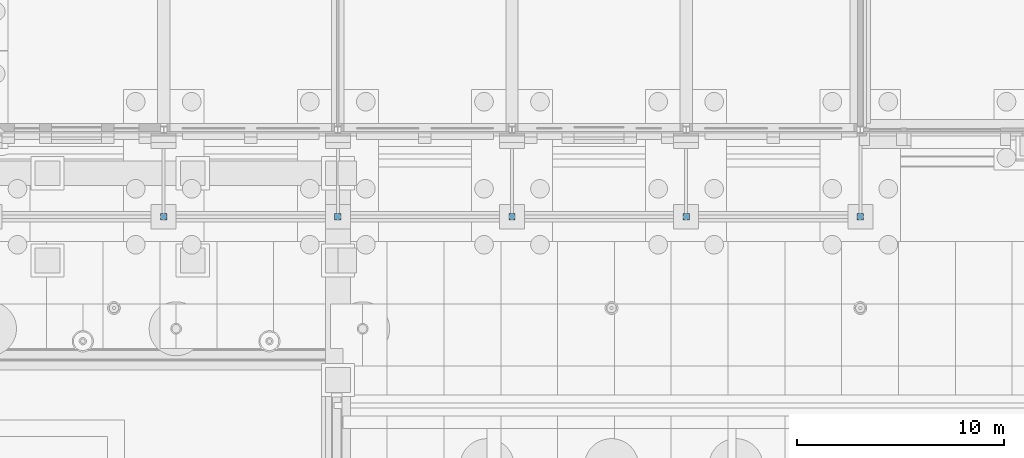
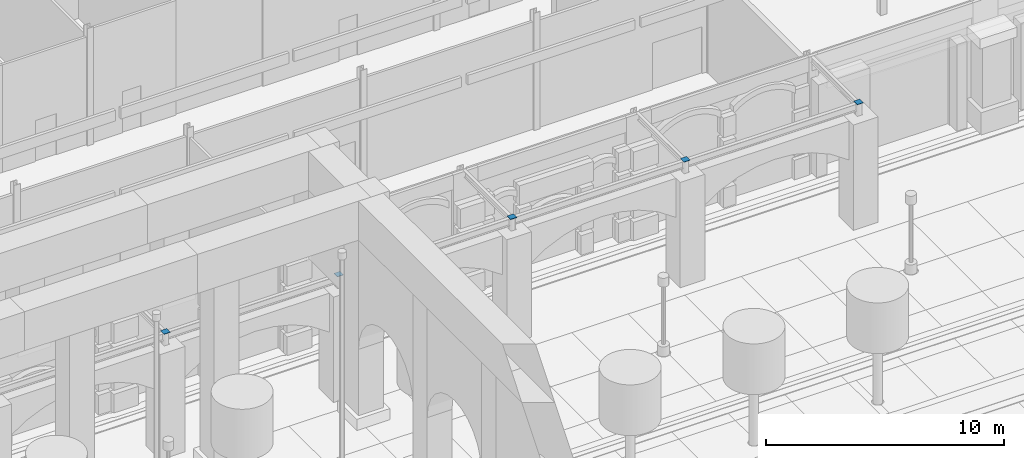
# One storey, part 107 of 222: 5 discrete accessories.
"""IFC4 building model written with IfcOpenShell, lengths in metres."""

from ifc_helpers import new_model, si_unit, direction, frame, origin, origin_2d, place, context, subcontext, project, spatial, rectangle, extrude, material, layer, layer_set, type_object, element, save


model = new_model("IFC4")

# Units and contexts
model_context = context("Model", 3, precision=1e-05, world=origin(), true_north=direction((0.0, 1.0)))
body_context = subcontext(model_context, "Body", "Model", "MODEL_VIEW")
ifc_project = project(units=[si_unit("LENGTHUNIT", "METRE"), si_unit("AREAUNIT", "SQUARE_METRE"), si_unit("VOLUMEUNIT", "CUBIC_METRE"), si_unit("PLANEANGLEUNIT", "RADIAN"), si_unit("MASSUNIT", "GRAM", prefix="KILO")], contexts=[model_context])

# Site, building, storey
site_placement = place(None, origin())
site = spatial("IfcSite", under=ifc_project, at=site_placement, CompositionType="ELEMENT")
building_placement = place(site_placement, origin())
building = spatial("IfcBuilding", under=site, at=building_placement, Name="Sava Quay Ferry Terminal", CompositionType="ELEMENT")
storey_placement = place(building_placement, origin())
storey = spatial("IfcBuildingStorey", under=building, at=storey_placement, Name="L00", CompositionType="ELEMENT", Elevation=0.0)

# Discrete accessories
ifc_material = material(Name="Steel S355", Category="steel")
ifc_layer = layer(ifc_material, 0.02001953125)
ifc_layer_set = layer_set([ifc_layer], Name="Steel S355")
discrete_accessory_type = type_object("IfcDiscreteAccessoryType", Name="Column head plate 20", PredefinedType="ANCHORPLATE", material=ifc_layer_set)
for number, where, z_axis, x_axis, name in (
    (1, (92.39990234375, 21.0, 6.0), (0.0, 0.0, 1.0), (1.0, 0.0, 0.0), "Arcade column head plate 92.4/21"),
    (2, (100.800048828125, 21.0, 6.0), (0.0, 0.0, 1.0), (1.0, 0.0, 0.0), "Arcade column head plate 100.8/21"),
    (3, (109.199951171875, 21.0, 6.0), (0.0, 0.0, 1.0), (1.0, 0.0, 0.0), "Arcade column head plate 109.2/21"),
    (4, (117.60009765625, 21.0, 6.0), (0.0, 0.0, 1.0), (1.0, 0.0, 0.0), "Arcade column head plate 117.6/21"),
    (5, (126.0, 21.0, 6.0), (0.0, 0.0, 1.0), (1.0, 0.0, 0.0), "Arcade column head plate 126/21"),
):
    element("IfcDiscreteAccessory", number, at=place(storey_placement, frame(where, z_axis=z_axis, x_axis=x_axis)), inside=storey, type_object=discrete_accessory_type, Name=name, PredefinedType="ANCHORPLATE", context=body_context, shape_type="SweptSolid", body=[
        extrude(rectangle(XDim=0.300048828125, YDim=0.300048828125, at=origin_2d()), origin(), (0.0, 0.0, 1.0), 0.02001953125),
    ])

save(model, "model.ifc")
